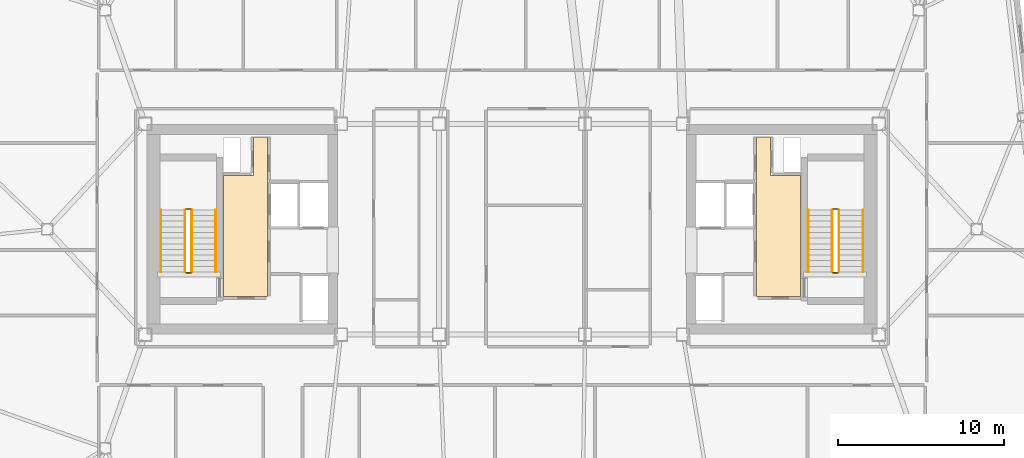
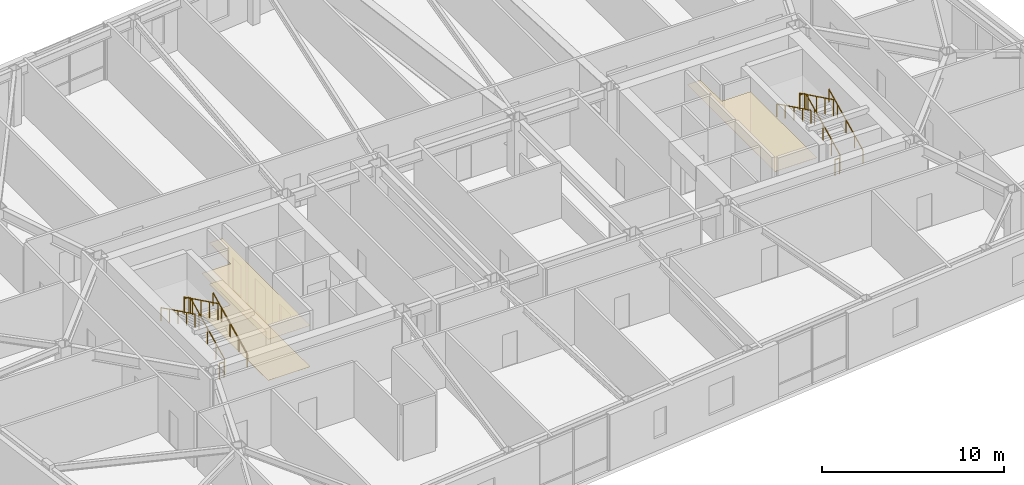
# One storey, part 19 of 19: 12 railings, 3 coverings.
"""IFC4 building model written with IfcOpenShell, lengths in metres."""

from ifc_helpers import new_model, si_unit, direction, frame, origin, origin_2d, place, context, subcontext, project, spatial, polyline, rectangle, outline, extrude, material, layer, layer_set, type_object, element, save


model = new_model("IFC4")

# Units and contexts
model_context = context("Model", 3, precision=1e-05, world=origin(), true_north=direction((0.0, 1.0)))
body_context = subcontext(model_context, "Body", "Model", "MODEL_VIEW")
ifc_project = project(units=[si_unit("LENGTHUNIT", "METRE"), si_unit("AREAUNIT", "SQUARE_METRE"), si_unit("VOLUMEUNIT", "CUBIC_METRE"), si_unit("PLANEANGLEUNIT", "RADIAN"), si_unit("MASSUNIT", "GRAM", prefix="KILO")], contexts=[model_context])

# Site, building, storey
site_placement = place(None, origin())
site = spatial("IfcSite", under=ifc_project, at=site_placement, CompositionType="ELEMENT")
building_placement = place(site_placement, origin())
building = spatial("IfcBuilding", under=site, at=building_placement, Name="Tavrogorsk Clinical Tower", CompositionType="ELEMENT")
storey_placement = place(building_placement, frame((0.0, 0.0, 243.0)))
storey = spatial("IfcBuildingStorey", under=building, at=storey_placement, Name="L56", CompositionType="ELEMENT", Elevation=243.0)

# Coverings
ifc_material_1 = material(Name="Antibacterial micro-perforated aluminium ceiling", Category="aluminium")
ifc_layer_1 = layer(ifc_material_1, 0.014892578125)
ifc_layer_set_1 = layer_set([ifc_layer_1], Name="Antibacterial micro-perforated aluminium ceiling")
covering_type_1 = type_object("IfcCoveringType", Name="ClinicalCeiling_15", PredefinedType="CEILING", material=ifc_layer_set_1)
covering_1_placement = place(storey_placement, frame((0.0, 0.0, 2.75)))
element("IfcCovering", 1, at=covering_1_placement, inside=storey, type_object=covering_type_1, Name="Core West Firefighting Lift Lobby Acoustic Ceiling", PredefinedType="CEILING", context=body_context, shape_type="SweptSolid", body=[
    extrude(outline(polyline([(-14.719970703125, 5.56005859375), (-14.719970703125, -4.06005859375), (-17.3798828125, -4.06005859375), (-17.3798828125, 3.239990234375), (-15.56005859375, 3.239990234375), (-15.56005859375, 5.56005859375), (-14.719970703125, 5.56005859375)])), origin(), (0.0, 0.0, 1.0), 0.014892578125),
])
covering_2_placement = place(storey_placement, frame((0.0, 0.0, 2.75)))
element("IfcCovering", 2, at=covering_2_placement, inside=storey, type_object=covering_type_1, Name="Core East Firefighting Lift Lobby Acoustic Ceiling", PredefinedType="CEILING", context=body_context, shape_type="SweptSolid", body=[
    extrude(outline(polyline([(17.3798828125, -4.06005859375), (14.719970703125, -4.06005859375), (14.719970703125, 5.56005859375), (15.56005859375, 5.56005859375), (15.56005859375, 3.239990234375), (17.3798828125, 3.239990234375), (17.3798828125, -4.06005859375)])), origin(), (0.0, 0.0, 1.0), 0.014892578125),
])
ifc_material_2 = material(Name="Homogeneous medical conductive PVC flooring")
ifc_layer_2 = layer(ifc_material_2, 0.008056640625)
ifc_layer_set_2 = layer_set([ifc_layer_2], Name="Homogeneous medical conductive PVC flooring")
covering_type_2 = type_object("IfcCoveringType", Name="ResilientVinylFloor_8", PredefinedType="FLOORING", material=ifc_layer_set_2)
covering_3_placement = place(storey_placement, origin())
element("IfcCovering", 3, at=covering_3_placement, inside=storey, type_object=covering_type_2, Name="Core West Firefighting Lift Lobby Conductive Vinyl Flooring", PredefinedType="FLOORING", context=body_context, shape_type="SweptSolid", body=[
    extrude(outline(polyline([(-14.719970703125, 5.56005859375), (-14.719970703125, -4.06005859375), (-17.3798828125, -4.06005859375), (-17.3798828125, 3.239990234375), (-15.56005859375, 3.239990234375), (-15.56005859375, 5.56005859375), (-14.719970703125, 5.56005859375)])), origin(), (0.0, 0.0, 1.0), 0.008056640625),
])

# Railings
ifc_material_3 = material(Name="Galvanised steel S355 safety stairwell guard", Category="steel")
ifc_layer_3 = layer(ifc_material_3, 0.06005859375)
ifc_layer_set_3 = layer_set([ifc_layer_3], Name="Galvanised steel S355 safety stairwell guard")
railing_type_1 = type_object("IfcRailingType", Name="StairGuard_1150", PredefinedType="GUARDRAIL", material=ifc_layer_set_3)
railing_1_placement = place(storey_placement, frame((-19.300048828125, -2.574951171875, 0.166748046875)))
element("IfcRailing", 4, at=railing_1_placement, inside=storey, type_object=railing_type_1, Name="L56 ST-W stair guard 1", PredefinedType="GUARDRAIL", context=body_context, shape_type="SweptSolid", body=[
    extrude(rectangle(XDim=0.048095703125, YDim=0.048095703125, at=origin_2d()), frame((0.0, 0.0, 1.076171875), z_axis=(0.0, 0.897927990467, 0.440142390523), x_axis=(-1.0, 0.0, 0.0)), (0.0, 0.0, 1.0), 4.1650390625),
    extrude(rectangle(XDim=0.0419921875, YDim=0.0419921875, at=origin_2d()), origin(), (0.0, 0.0, 1.0), 1.052001953125),
    extrude(rectangle(XDim=0.0419921875, YDim=0.0419921875, at=origin_2d()), frame((0.0, 0.93505859375, 0.458251953125)), (0.0, 0.0, 1.0), 1.052001953125),
    extrude(rectangle(XDim=0.0419921875, YDim=0.0419921875, at=origin_2d()), frame((0.0, 1.8701171875, 0.91650390625)), (0.0, 0.0, 1.0), 1.052001953125),
    extrude(rectangle(XDim=0.0419921875, YDim=0.0419921875, at=origin_2d()), frame((0.0, 2.804931640625, 1.375)), (0.0, 0.0, 1.0), 1.052001953125),
    extrude(rectangle(XDim=0.0419921875, YDim=0.0419921875, at=origin_2d()), frame((0.0, 3.739990234375, 1.833251953125)), (0.0, 0.0, 1.0), 1.052001953125),
])
railing_2_placement = place(storey_placement, frame((-19.35009765625, 1.215087890625, 2.0)))
element("IfcRailing", 5, at=railing_2_placement, inside=storey, type_object=railing_type_1, Name="L56 ST-W stair guard 2", PredefinedType="GUARDRAIL", context=body_context, shape_type="SweptSolid", body=[
    extrude(rectangle(XDim=0.048095703125, YDim=0.048095703125, at=origin_2d()), frame((0.0, 0.0, 1.076171875), z_axis=(-1.0, 0.0, 0.0), x_axis=(0.0, -1.0, 0.0)), (0.0, 0.0, 1.0), 0.2998046875),
    extrude(rectangle(XDim=0.0419921875, YDim=0.0419921875, at=origin_2d()), origin(), (0.0, 0.0, 1.0), 1.052001953125),
    extrude(rectangle(XDim=0.0419921875, YDim=0.0419921875, at=origin_2d()), frame((-0.2998046875, 0.0, 0.0)), (0.0, 0.0, 1.0), 1.052001953125),
])
railing_3_placement = place(storey_placement, frame((-19.699951171875, 1.1650390625, 2.166748046875)))
element("IfcRailing", 6, at=railing_3_placement, inside=storey, type_object=railing_type_1, Name="L56 ST-W stair guard 3", PredefinedType="GUARDRAIL", context=body_context, shape_type="SweptSolid", body=[
    extrude(rectangle(XDim=0.048095703125, YDim=0.048095703125, at=origin_2d()), frame((0.0, 0.0, 1.076171875), z_axis=(0.0, -0.897927990467, 0.440142390523), x_axis=(1.0, 0.0, 0.0)), (0.0, 0.0, 1.0), 4.1650390625),
    extrude(rectangle(XDim=0.0419921875, YDim=0.0419921875, at=origin_2d()), origin(), (0.0, 0.0, 1.0), 1.052001953125),
    extrude(rectangle(XDim=0.0419921875, YDim=0.0419921875, at=origin_2d()), frame((0.0, -0.93505859375, 0.458251953125)), (0.0, 0.0, 1.0), 1.052001953125),
    extrude(rectangle(XDim=0.0419921875, YDim=0.0419921875, at=origin_2d()), frame((0.0, -1.8701171875, 0.91650390625)), (0.0, 0.0, 1.0), 1.052001953125),
    extrude(rectangle(XDim=0.0419921875, YDim=0.0419921875, at=origin_2d()), frame((0.0, -2.804931640625, 1.375)), (0.0, 0.0, 1.0), 1.052001953125),
    extrude(rectangle(XDim=0.0419921875, YDim=0.0419921875, at=origin_2d()), frame((0.0, -3.739990234375, 1.833251953125)), (0.0, 0.0, 1.0), 1.052001953125),
])
railing_4_placement = place(storey_placement, frame((-19.35009765625, -2.625, 0.0)))
element("IfcRailing", 7, at=railing_4_placement, inside=storey, type_object=railing_type_1, Name="L56 ST-W stair guard 4", PredefinedType="GUARDRAIL", context=body_context, shape_type="SweptSolid", body=[
    extrude(rectangle(XDim=0.048095703125, YDim=0.048095703125, at=origin_2d()), frame((0.0, 0.0, 1.076171875), z_axis=(-1.0, 0.0, 0.0), x_axis=(0.0, -1.0, 0.0)), (0.0, 0.0, 1.0), 0.2998046875),
    extrude(rectangle(XDim=0.0419921875, YDim=0.0419921875, at=origin_2d()), origin(), (0.0, 0.0, 1.0), 1.052001953125),
    extrude(rectangle(XDim=0.0419921875, YDim=0.0419921875, at=origin_2d()), frame((-0.2998046875, 0.0, 0.0)), (0.0, 0.0, 1.0), 1.052001953125),
])
railing_5_placement = place(storey_placement, frame((19.699951171875, -2.574951171875, 0.166748046875)))
element("IfcRailing", 8, at=railing_5_placement, inside=storey, type_object=railing_type_1, Name="L56 ST-E stair guard 1", PredefinedType="GUARDRAIL", context=body_context, shape_type="SweptSolid", body=[
    extrude(rectangle(XDim=0.048095703125, YDim=0.048095703125, at=origin_2d()), frame((0.0, 0.0, 1.076171875), z_axis=(0.0, 0.897927990467, 0.440142390523), x_axis=(-1.0, 0.0, 0.0)), (0.0, 0.0, 1.0), 4.1650390625),
    extrude(rectangle(XDim=0.0419921875, YDim=0.0419921875, at=origin_2d()), origin(), (0.0, 0.0, 1.0), 1.052001953125),
    extrude(rectangle(XDim=0.0419921875, YDim=0.0419921875, at=origin_2d()), frame((0.0, 0.93505859375, 0.458251953125)), (0.0, 0.0, 1.0), 1.052001953125),
    extrude(rectangle(XDim=0.0419921875, YDim=0.0419921875, at=origin_2d()), frame((0.0, 1.8701171875, 0.91650390625)), (0.0, 0.0, 1.0), 1.052001953125),
    extrude(rectangle(XDim=0.0419921875, YDim=0.0419921875, at=origin_2d()), frame((0.0, 2.804931640625, 1.375)), (0.0, 0.0, 1.0), 1.052001953125),
    extrude(rectangle(XDim=0.0419921875, YDim=0.0419921875, at=origin_2d()), frame((0.0, 3.739990234375, 1.833251953125)), (0.0, 0.0, 1.0), 1.052001953125),
])
railing_6_placement = place(storey_placement, frame((19.64990234375, 1.215087890625, 2.0)))
element("IfcRailing", 9, at=railing_6_placement, inside=storey, type_object=railing_type_1, Name="L56 ST-E stair guard 2", PredefinedType="GUARDRAIL", context=body_context, shape_type="SweptSolid", body=[
    extrude(rectangle(XDim=0.048095703125, YDim=0.048095703125, at=origin_2d()), frame((0.0, 0.0, 1.076171875), z_axis=(-1.0, 0.0, 0.0), x_axis=(0.0, -1.0, 0.0)), (0.0, 0.0, 1.0), 0.2998046875),
    extrude(rectangle(XDim=0.0419921875, YDim=0.0419921875, at=origin_2d()), origin(), (0.0, 0.0, 1.0), 1.052001953125),
    extrude(rectangle(XDim=0.0419921875, YDim=0.0419921875, at=origin_2d()), frame((-0.2998046875, 0.0, 0.0)), (0.0, 0.0, 1.0), 1.052001953125),
])
railing_7_placement = place(storey_placement, frame((19.300048828125, 1.1650390625, 2.166748046875)))
element("IfcRailing", 10, at=railing_7_placement, inside=storey, type_object=railing_type_1, Name="L56 ST-E stair guard 3", PredefinedType="GUARDRAIL", context=body_context, shape_type="SweptSolid", body=[
    extrude(rectangle(XDim=0.048095703125, YDim=0.048095703125, at=origin_2d()), frame((0.0, 0.0, 1.076171875), z_axis=(0.0, -0.897927990467, 0.440142390523), x_axis=(1.0, 0.0, 0.0)), (0.0, 0.0, 1.0), 4.1650390625),
    extrude(rectangle(XDim=0.0419921875, YDim=0.0419921875, at=origin_2d()), origin(), (0.0, 0.0, 1.0), 1.052001953125),
    extrude(rectangle(XDim=0.0419921875, YDim=0.0419921875, at=origin_2d()), frame((0.0, -0.93505859375, 0.458251953125)), (0.0, 0.0, 1.0), 1.052001953125),
    extrude(rectangle(XDim=0.0419921875, YDim=0.0419921875, at=origin_2d()), frame((0.0, -1.8701171875, 0.91650390625)), (0.0, 0.0, 1.0), 1.052001953125),
    extrude(rectangle(XDim=0.0419921875, YDim=0.0419921875, at=origin_2d()), frame((0.0, -2.804931640625, 1.375)), (0.0, 0.0, 1.0), 1.052001953125),
    extrude(rectangle(XDim=0.0419921875, YDim=0.0419921875, at=origin_2d()), frame((0.0, -3.739990234375, 1.833251953125)), (0.0, 0.0, 1.0), 1.052001953125),
])
railing_8_placement = place(storey_placement, frame((19.64990234375, -2.625, 0.0)))
element("IfcRailing", 11, at=railing_8_placement, inside=storey, type_object=railing_type_1, Name="L56 ST-E stair guard 4", PredefinedType="GUARDRAIL", context=body_context, shape_type="SweptSolid", body=[
    extrude(rectangle(XDim=0.048095703125, YDim=0.048095703125, at=origin_2d()), frame((0.0, 0.0, 1.076171875), z_axis=(-1.0, 0.0, 0.0), x_axis=(0.0, -1.0, 0.0)), (0.0, 0.0, 1.0), 0.2998046875),
    extrude(rectangle(XDim=0.0419921875, YDim=0.0419921875, at=origin_2d()), origin(), (0.0, 0.0, 1.0), 1.052001953125),
    extrude(rectangle(XDim=0.0419921875, YDim=0.0419921875, at=origin_2d()), frame((-0.2998046875, 0.0, 0.0)), (0.0, 0.0, 1.0), 1.052001953125),
])
ifc_material_4 = material(Name="Stainless steel AISI 304 tubular handrail", Category="steel")
ifc_layer_4 = layer(ifc_material_4, 0.050048828125)
ifc_layer_set_4 = layer_set([ifc_layer_4], Name="Stainless steel AISI 304 tubular handrail")
railing_type_2 = type_object("IfcRailingType", Name="StairHandrail_920", PredefinedType="HANDRAIL", material=ifc_layer_set_4)
railing_9_placement = place(storey_placement, frame((-17.85009765625, -2.574951171875, 0.166748046875)))
element("IfcRailing", 12, at=railing_9_placement, inside=storey, type_object=railing_type_2, Name="L56 ST-W stair handrail 1", PredefinedType="HANDRAIL", context=body_context, shape_type="SweptSolid", body=[
    extrude(rectangle(XDim=0.048095703125, YDim=0.048095703125, at=origin_2d()), frame((0.0, 0.0, 0.8759765625), z_axis=(0.0, 0.897927990467, 0.440142390523), x_axis=(-1.0, 0.0, 0.0)), (0.0, 0.0, 1.0), 4.1650390625),
    extrude(rectangle(XDim=0.0419921875, YDim=0.0419921875, at=origin_2d()), origin(), (0.0, 0.0, 1.0), 0.851806640625),
    extrude(rectangle(XDim=0.0419921875, YDim=0.0419921875, at=origin_2d()), frame((0.0, 0.93505859375, 0.458251953125)), (0.0, 0.0, 1.0), 0.851806640625),
    extrude(rectangle(XDim=0.0419921875, YDim=0.0419921875, at=origin_2d()), frame((0.0, 1.8701171875, 0.91650390625)), (0.0, 0.0, 1.0), 0.851806640625),
    extrude(rectangle(XDim=0.0419921875, YDim=0.0419921875, at=origin_2d()), frame((0.0, 2.804931640625, 1.375)), (0.0, 0.0, 1.0), 0.851806640625),
    extrude(rectangle(XDim=0.0419921875, YDim=0.0419921875, at=origin_2d()), frame((0.0, 3.739990234375, 1.833251953125)), (0.0, 0.0, 1.0), 0.851806640625),
])
railing_10_placement = place(storey_placement, frame((-21.14990234375, 1.1650390625, 2.166748046875)))
element("IfcRailing", 13, at=railing_10_placement, inside=storey, type_object=railing_type_2, Name="L56 ST-W stair handrail 2", PredefinedType="HANDRAIL", context=body_context, shape_type="SweptSolid", body=[
    extrude(rectangle(XDim=0.048095703125, YDim=0.048095703125, at=origin_2d()), frame((0.0, 0.0, 0.8759765625), z_axis=(0.0, -0.897927990467, 0.440142390523), x_axis=(1.0, 0.0, 0.0)), (0.0, 0.0, 1.0), 4.1650390625),
    extrude(rectangle(XDim=0.0419921875, YDim=0.0419921875, at=origin_2d()), origin(), (0.0, 0.0, 1.0), 0.851806640625),
    extrude(rectangle(XDim=0.0419921875, YDim=0.0419921875, at=origin_2d()), frame((0.0, -0.93505859375, 0.458251953125)), (0.0, 0.0, 1.0), 0.851806640625),
    extrude(rectangle(XDim=0.0419921875, YDim=0.0419921875, at=origin_2d()), frame((0.0, -1.8701171875, 0.91650390625)), (0.0, 0.0, 1.0), 0.851806640625),
    extrude(rectangle(XDim=0.0419921875, YDim=0.0419921875, at=origin_2d()), frame((0.0, -2.804931640625, 1.375)), (0.0, 0.0, 1.0), 0.851806640625),
    extrude(rectangle(XDim=0.0419921875, YDim=0.0419921875, at=origin_2d()), frame((0.0, -3.739990234375, 1.833251953125)), (0.0, 0.0, 1.0), 0.851806640625),
])
railing_11_placement = place(storey_placement, frame((21.14990234375, -2.574951171875, 0.166748046875)))
element("IfcRailing", 14, at=railing_11_placement, inside=storey, type_object=railing_type_2, Name="L56 ST-E stair handrail 1", PredefinedType="HANDRAIL", context=body_context, shape_type="SweptSolid", body=[
    extrude(rectangle(XDim=0.048095703125, YDim=0.048095703125, at=origin_2d()), frame((0.0, 0.0, 0.8759765625), z_axis=(0.0, 0.897927990467, 0.440142390523), x_axis=(-1.0, 0.0, 0.0)), (0.0, 0.0, 1.0), 4.1650390625),
    extrude(rectangle(XDim=0.0419921875, YDim=0.0419921875, at=origin_2d()), origin(), (0.0, 0.0, 1.0), 0.851806640625),
    extrude(rectangle(XDim=0.0419921875, YDim=0.0419921875, at=origin_2d()), frame((0.0, 0.93505859375, 0.458251953125)), (0.0, 0.0, 1.0), 0.851806640625),
    extrude(rectangle(XDim=0.0419921875, YDim=0.0419921875, at=origin_2d()), frame((0.0, 1.8701171875, 0.91650390625)), (0.0, 0.0, 1.0), 0.851806640625),
    extrude(rectangle(XDim=0.0419921875, YDim=0.0419921875, at=origin_2d()), frame((0.0, 2.804931640625, 1.375)), (0.0, 0.0, 1.0), 0.851806640625),
    extrude(rectangle(XDim=0.0419921875, YDim=0.0419921875, at=origin_2d()), frame((0.0, 3.739990234375, 1.833251953125)), (0.0, 0.0, 1.0), 0.851806640625),
])
railing_12_placement = place(storey_placement, frame((17.85009765625, 1.1650390625, 2.166748046875)))
element("IfcRailing", 15, at=railing_12_placement, inside=storey, type_object=railing_type_2, Name="L56 ST-E stair handrail 2", PredefinedType="HANDRAIL", context=body_context, shape_type="SweptSolid", body=[
    extrude(rectangle(XDim=0.048095703125, YDim=0.048095703125, at=origin_2d()), frame((0.0, 0.0, 0.8759765625), z_axis=(0.0, -0.897927990467, 0.440142390523), x_axis=(1.0, 0.0, 0.0)), (0.0, 0.0, 1.0), 4.1650390625),
    extrude(rectangle(XDim=0.0419921875, YDim=0.0419921875, at=origin_2d()), origin(), (0.0, 0.0, 1.0), 0.851806640625),
    extrude(rectangle(XDim=0.0419921875, YDim=0.0419921875, at=origin_2d()), frame((0.0, -0.93505859375, 0.458251953125)), (0.0, 0.0, 1.0), 0.851806640625),
    extrude(rectangle(XDim=0.0419921875, YDim=0.0419921875, at=origin_2d()), frame((0.0, -1.8701171875, 0.91650390625)), (0.0, 0.0, 1.0), 0.851806640625),
    extrude(rectangle(XDim=0.0419921875, YDim=0.0419921875, at=origin_2d()), frame((0.0, -2.804931640625, 1.375)), (0.0, 0.0, 1.0), 0.851806640625),
    extrude(rectangle(XDim=0.0419921875, YDim=0.0419921875, at=origin_2d()), frame((0.0, -3.739990234375, 1.833251953125)), (0.0, 0.0, 1.0), 0.851806640625),
])

save(model, "model.ifc")
